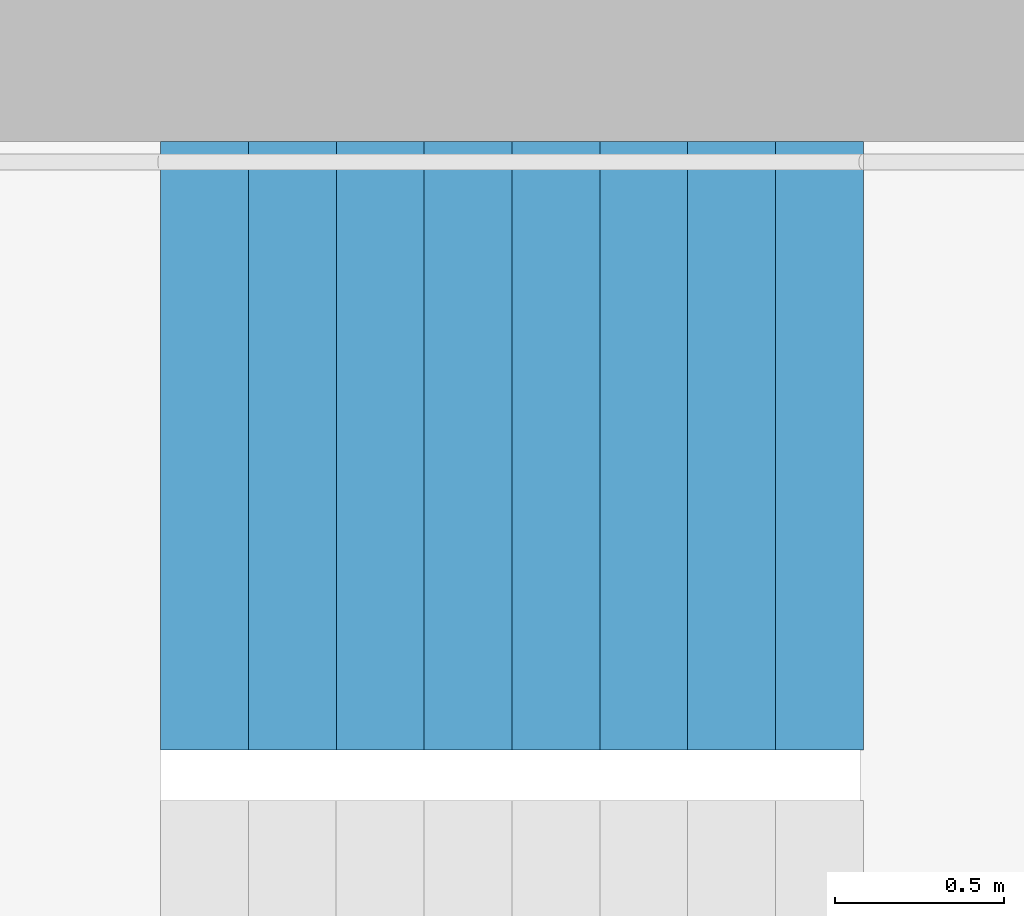
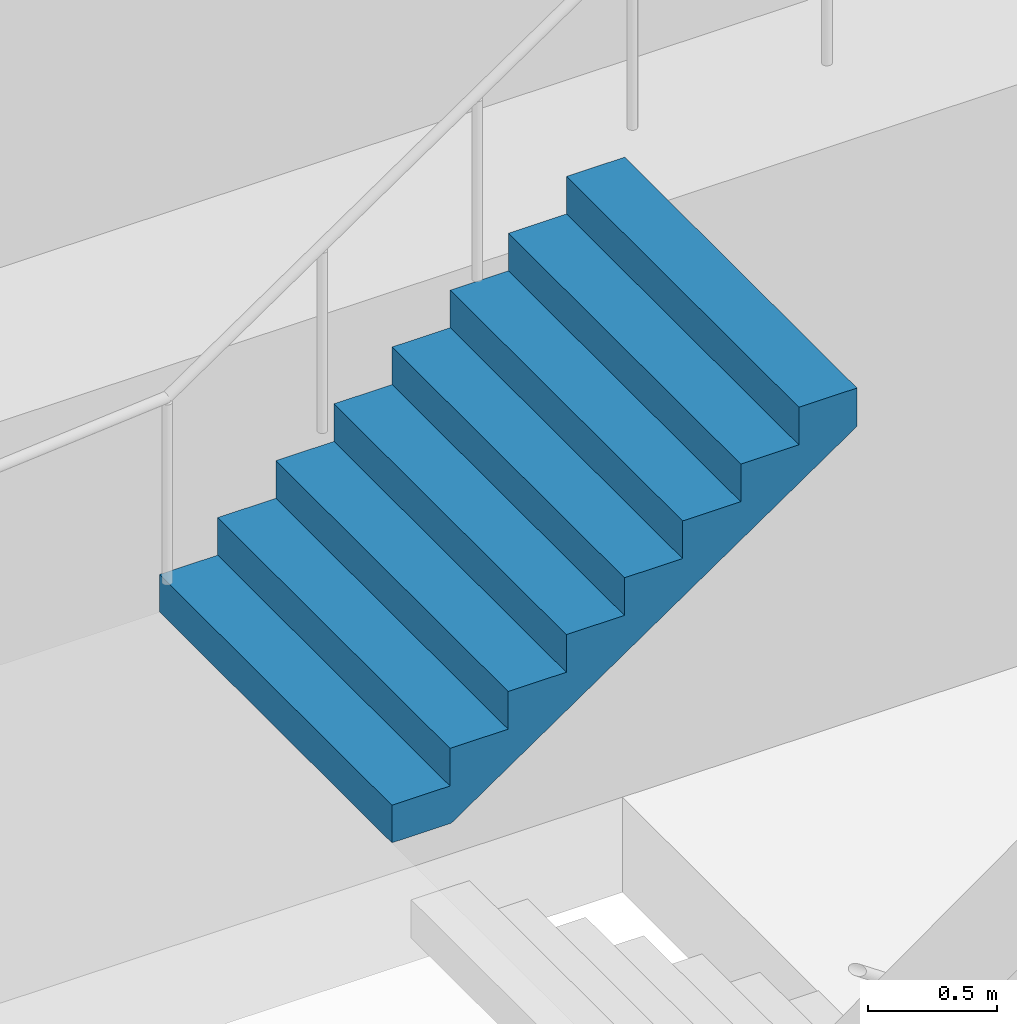
# One storey, part 25 of 26: 1 stair flight, 1 element without a shape of its own.
"""IFC4 building model written with IfcOpenShell, lengths in metres."""

from ifc_helpers import new_model, si_unit, direction, frame, origin, place, context, subcontext, project, spatial, triangles, material, type_object, element, aggregate, save


model = new_model("IFC4")

# Units and contexts
model_context = context("Model", 3, precision=1e-05, world=origin(), true_north=direction((0.0, 1.0)))
body_context = subcontext(model_context, "Body", "Model", "MODEL_VIEW")
ifc_project = project(units=[si_unit("LENGTHUNIT", "METRE"), si_unit("AREAUNIT", "SQUARE_METRE"), si_unit("VOLUMEUNIT", "CUBIC_METRE"), si_unit("PLANEANGLEUNIT", "RADIAN"), si_unit("MASSUNIT", "GRAM", prefix="KILO")], contexts=[model_context])

# Site, building, storey
site_placement = place(None, origin())
site = spatial("IfcSite", under=ifc_project, at=site_placement, CompositionType="ELEMENT")
building_placement = place(site_placement, origin())
building = spatial("IfcBuilding", under=site, at=building_placement, Name="Hakoniwa Tower and Hamabe Station Hall", CompositionType="ELEMENT")
storey_placement = place(building_placement, frame((0.0, 0.0, 196.199951171875)))
storey = spatial("IfcBuildingStorey", under=building, at=storey_placement, Name="L55", CompositionType="ELEMENT", Elevation=196.199951171875)

# Stair, stair flight
ifc_material_1 = material(Name="Concrete C40", Category="concrete")
stair_type = type_object("IfcStairType", Name="ESCAPE STAIR 1800", PredefinedType="HALF_TURN_STAIR", material=ifc_material_1)
stair_placement = place(storey_placement, origin())
stair = element("IfcStair", 1, at=stair_placement, inside=storey, type_object=stair_type, Name="Escape stair ST-3 L55", PredefinedType="HALF_TURN_STAIR")
ifc_material_2 = material(Name="Concrete C40", Category="concrete")
stair_flight_type = type_object("IfcStairFlightType", Name="STAIR FLIGHT 1800", PredefinedType="STRAIGHT", material=ifc_material_2)
stair_flight_placement = place(storey_placement, frame((22.320068359375, 6.60009765625, 1.60009765625), z_axis=(0.0, 0.0, 1.0), x_axis=(1.0, 0.0, 0.0)))
stair_flight = element("IfcStairFlight", 2, at=stair_flight_placement, type_object=stair_flight_type, Name="ST-3 flight 2", NumberOfRisers=9, NumberOfTreads=8, PredefinedType="STRAIGHT", RiserHeight=0.177777778, TreadLength=0.26, context=body_context, shape_type="Tessellation", body=[
    triangles([(0.0, 0.89990234375, 0.0), (0.260009765625, 0.89990234375, 0.0), (0.265625, 0.89990234375, 0.0), (0.52001953125, 0.89990234375, 0.174072265625), (0.780029296875, 0.89990234375, 0.351806640625), (1.0400390625, 0.89990234375, 0.529541015625), (1.300048828125, 0.89990234375, 0.707275390625), (1.56005859375, 0.89990234375, 0.885009765625), (1.820068359375, 0.89990234375, 1.062744140625), (2.080078125, 0.89990234375, 1.24072265625), (2.080078125, 0.89990234375, 1.422119140625), (1.820068359375, 0.89990234375, 1.422119140625), (1.820068359375, 0.89990234375, 1.244384765625), (1.56005859375, 0.89990234375, 1.244384765625), (1.56005859375, 0.89990234375, 1.066650390625), (1.300048828125, 0.89990234375, 1.066650390625), (1.300048828125, 0.89990234375, 0.888916015625), (1.0400390625, 0.89990234375, 0.888916015625), (1.0400390625, 0.89990234375, 0.711181640625), (0.780029296875, 0.89990234375, 0.711181640625), (0.780029296875, 0.89990234375, 0.533447265625), (0.52001953125, 0.89990234375, 0.533447265625), (0.52001953125, 0.89990234375, 0.35546875), (0.265625, 0.89990234375, 0.35546875), (0.260009765625, 0.89990234375, 0.35546875), (0.260009765625, 0.89990234375, 0.177734375), (0.0, 0.89990234375, 0.177734375), (0.0, 0.06005859375, 0.0), (0.260009765625, 0.06005859375, 0.0), (0.265625, 0.06005859375, 0.0), (0.52001953125, 0.06005859375, 0.174072265625), (0.780029296875, 0.06005859375, 0.351806640625), (1.0400390625, 0.06005859375, 0.529541015625), (1.300048828125, 0.06005859375, 0.707275390625), (1.56005859375, 0.06005859375, 0.885009765625), (1.820068359375, 0.06005859375, 1.062744140625), (2.080078125, 0.06005859375, 1.24072265625), (2.080078125, 0.06005859375, 1.422119140625), (1.820068359375, 0.06005859375, 1.422119140625), (1.820068359375, 0.06005859375, 1.244384765625), (1.56005859375, 0.06005859375, 1.244384765625), (1.56005859375, 0.06005859375, 1.066650390625), (1.300048828125, 0.06005859375, 1.066650390625), (1.300048828125, 0.06005859375, 0.888916015625), (1.0400390625, 0.06005859375, 0.888916015625), (1.0400390625, 0.06005859375, 0.711181640625), (0.780029296875, 0.06005859375, 0.711181640625), (0.780029296875, 0.06005859375, 0.533447265625), (0.52001953125, 0.06005859375, 0.533447265625), (0.52001953125, 0.06005859375, 0.35546875), (0.265625, 0.06005859375, 0.35546875), (0.260009765625, 0.06005859375, 0.35546875), (0.260009765625, 0.06005859375, 0.177734375), (0.0, 0.06005859375, 0.177734375), (0.0, 0.04296875, 0.0), (0.260009765625, 0.04296875, 0.0), (0.265625, 0.04296875, 0.0), (0.52001953125, 0.04296875, 0.174072265625), (0.780029296875, 0.04296875, 0.351806640625), (1.0400390625, 0.04296875, 0.529541015625), (1.300048828125, 0.04296875, 0.707275390625), (1.56005859375, 0.04296875, 0.885009765625), (1.820068359375, 0.04296875, 1.062744140625), (2.080078125, 0.04296875, 1.24072265625), (2.080078125, 0.04296875, 1.422119140625), (1.820068359375, 0.04296875, 1.422119140625), (1.820068359375, 0.04296875, 1.244384765625), (1.56005859375, 0.04296875, 1.244384765625), (1.56005859375, 0.04296875, 1.066650390625), (1.300048828125, 0.04296875, 1.066650390625), (1.300048828125, 0.04296875, 0.888916015625), (1.0400390625, 0.04296875, 0.888916015625), (1.0400390625, 0.04296875, 0.711181640625), (0.780029296875, 0.04296875, 0.711181640625), (0.780029296875, 0.04296875, 0.533447265625), (0.52001953125, 0.04296875, 0.533447265625), (0.52001953125, 0.04296875, 0.35546875), (0.265625, 0.04296875, 0.35546875), (0.260009765625, 0.04296875, 0.35546875), (0.260009765625, 0.04296875, 0.177734375), (0.0, 0.04296875, 0.177734375), (0.0, 0.025634765625, 0.0), (0.260009765625, 0.025634765625, 0.0), (0.265625, 0.025634765625, 0.0), (0.52001953125, 0.025634765625, 0.174072265625), (0.780029296875, 0.025634765625, 0.351806640625), (1.0400390625, 0.025634765625, 0.529541015625), (1.300048828125, 0.025634765625, 0.707275390625), (1.56005859375, 0.025634765625, 0.885009765625), (1.820068359375, 0.025634765625, 1.062744140625), (2.080078125, 0.025634765625, 1.24072265625), (2.080078125, 0.025634765625, 1.422119140625), (1.820068359375, 0.025634765625, 1.422119140625), (1.820068359375, 0.025634765625, 1.244384765625), (1.56005859375, 0.025634765625, 1.244384765625), (1.56005859375, 0.025634765625, 1.066650390625), (1.300048828125, 0.025634765625, 1.066650390625), (1.300048828125, 0.025634765625, 0.888916015625), (1.0400390625, 0.025634765625, 0.888916015625), (1.0400390625, 0.025634765625, 0.711181640625), (0.780029296875, 0.025634765625, 0.711181640625), (0.780029296875, 0.025634765625, 0.533447265625), (0.52001953125, 0.025634765625, 0.533447265625), (0.52001953125, 0.025634765625, 0.35546875), (0.265625, 0.025634765625, 0.35546875), (0.260009765625, 0.025634765625, 0.35546875), (0.260009765625, 0.025634765625, 0.177734375), (0.0, 0.025634765625, 0.177734375), (0.0, 0.008544921875, 0.0), (0.260009765625, 0.008544921875, 0.0), (0.265625, 0.008544921875, 0.0), (0.52001953125, 0.008544921875, 0.174072265625), (0.780029296875, 0.008544921875, 0.351806640625), (1.0400390625, 0.008544921875, 0.529541015625), (1.300048828125, 0.008544921875, 0.707275390625), (1.56005859375, 0.008544921875, 0.885009765625), (1.820068359375, 0.008544921875, 1.062744140625), (2.080078125, 0.008544921875, 1.24072265625), (2.080078125, 0.008544921875, 1.422119140625), (1.820068359375, 0.008544921875, 1.422119140625), (1.820068359375, 0.008544921875, 1.244384765625), (1.56005859375, 0.008544921875, 1.244384765625), (1.56005859375, 0.008544921875, 1.066650390625), (1.300048828125, 0.008544921875, 1.066650390625), (1.300048828125, 0.008544921875, 0.888916015625), (1.0400390625, 0.008544921875, 0.888916015625), (1.0400390625, 0.008544921875, 0.711181640625), (0.780029296875, 0.008544921875, 0.711181640625), (0.780029296875, 0.008544921875, 0.533447265625), (0.52001953125, 0.008544921875, 0.533447265625), (0.52001953125, 0.008544921875, 0.35546875), (0.265625, 0.008544921875, 0.35546875), (0.260009765625, 0.008544921875, 0.35546875), (0.260009765625, 0.008544921875, 0.177734375), (0.0, 0.008544921875, 0.177734375), (0.0, -0.008544921875, 0.0), (0.260009765625, -0.008544921875, 0.0), (0.265625, -0.008544921875, 0.0), (0.52001953125, -0.008544921875, 0.174072265625), (0.780029296875, -0.008544921875, 0.351806640625), (1.0400390625, -0.008544921875, 0.529541015625), (1.300048828125, -0.008544921875, 0.707275390625), (1.56005859375, -0.008544921875, 0.885009765625), (1.820068359375, -0.008544921875, 1.062744140625), (2.080078125, -0.008544921875, 1.24072265625), (2.080078125, -0.008544921875, 1.422119140625), (1.820068359375, -0.008544921875, 1.422119140625), (1.820068359375, -0.008544921875, 1.244384765625), (1.56005859375, -0.008544921875, 1.244384765625), (1.56005859375, -0.008544921875, 1.066650390625), (1.300048828125, -0.008544921875, 1.066650390625), (1.300048828125, -0.008544921875, 0.888916015625), (1.0400390625, -0.008544921875, 0.888916015625), (1.0400390625, -0.008544921875, 0.711181640625), (0.780029296875, -0.008544921875, 0.711181640625), (0.780029296875, -0.008544921875, 0.533447265625), (0.52001953125, -0.008544921875, 0.533447265625), (0.52001953125, -0.008544921875, 0.35546875), (0.265625, -0.008544921875, 0.35546875), (0.260009765625, -0.008544921875, 0.35546875), (0.260009765625, -0.008544921875, 0.177734375), (0.0, -0.008544921875, 0.177734375), (0.0, -0.025634765625, 0.0), (0.260009765625, -0.025634765625, 0.0), (0.265625, -0.025634765625, 0.0), (0.52001953125, -0.025634765625, 0.174072265625), (0.780029296875, -0.025634765625, 0.351806640625), (1.0400390625, -0.025634765625, 0.529541015625), (1.300048828125, -0.025634765625, 0.707275390625), (1.56005859375, -0.025634765625, 0.885009765625), (1.820068359375, -0.025634765625, 1.062744140625), (2.080078125, -0.025634765625, 1.24072265625), (2.080078125, -0.025634765625, 1.422119140625), (1.820068359375, -0.025634765625, 1.422119140625), (1.820068359375, -0.025634765625, 1.244384765625), (1.56005859375, -0.025634765625, 1.244384765625), (1.56005859375, -0.025634765625, 1.066650390625), (1.300048828125, -0.025634765625, 1.066650390625), (1.300048828125, -0.025634765625, 0.888916015625), (1.0400390625, -0.025634765625, 0.888916015625), (1.0400390625, -0.025634765625, 0.711181640625), (0.780029296875, -0.025634765625, 0.711181640625), (0.780029296875, -0.025634765625, 0.533447265625), (0.52001953125, -0.025634765625, 0.533447265625), (0.52001953125, -0.025634765625, 0.35546875), (0.265625, -0.025634765625, 0.35546875), (0.260009765625, -0.025634765625, 0.35546875), (0.260009765625, -0.025634765625, 0.177734375), (0.0, -0.025634765625, 0.177734375), (0.0, -0.04296875, 0.0), (0.260009765625, -0.04296875, 0.0), (0.265625, -0.04296875, 0.0), (0.52001953125, -0.04296875, 0.174072265625), (0.780029296875, -0.04296875, 0.351806640625), (1.0400390625, -0.04296875, 0.529541015625), (1.300048828125, -0.04296875, 0.707275390625), (1.56005859375, -0.04296875, 0.885009765625), (1.820068359375, -0.04296875, 1.062744140625), (2.080078125, -0.04296875, 1.24072265625), (2.080078125, -0.04296875, 1.422119140625), (1.820068359375, -0.04296875, 1.422119140625), (1.820068359375, -0.04296875, 1.244384765625), (1.56005859375, -0.04296875, 1.244384765625), (1.56005859375, -0.04296875, 1.066650390625), (1.300048828125, -0.04296875, 1.066650390625), (1.300048828125, -0.04296875, 0.888916015625), (1.0400390625, -0.04296875, 0.888916015625), (1.0400390625, -0.04296875, 0.711181640625), (0.780029296875, -0.04296875, 0.711181640625), (0.780029296875, -0.04296875, 0.533447265625), (0.52001953125, -0.04296875, 0.533447265625), (0.52001953125, -0.04296875, 0.35546875), (0.265625, -0.04296875, 0.35546875), (0.260009765625, -0.04296875, 0.35546875), (0.260009765625, -0.04296875, 0.177734375), (0.0, -0.04296875, 0.177734375), (0.0, -0.06005859375, 0.0), (0.260009765625, -0.06005859375, 0.0), (0.265625, -0.06005859375, 0.0), (0.52001953125, -0.06005859375, 0.174072265625), (0.780029296875, -0.06005859375, 0.351806640625), (1.0400390625, -0.06005859375, 0.529541015625), (1.300048828125, -0.06005859375, 0.707275390625), (1.56005859375, -0.06005859375, 0.885009765625), (1.820068359375, -0.06005859375, 1.062744140625), (2.080078125, -0.06005859375, 1.24072265625), (2.080078125, -0.06005859375, 1.422119140625), (1.820068359375, -0.06005859375, 1.422119140625), (1.820068359375, -0.06005859375, 1.244384765625), (1.56005859375, -0.06005859375, 1.244384765625), (1.56005859375, -0.06005859375, 1.066650390625), (1.300048828125, -0.06005859375, 1.066650390625), (1.300048828125, -0.06005859375, 0.888916015625), (1.0400390625, -0.06005859375, 0.888916015625), (1.0400390625, -0.06005859375, 0.711181640625), (0.780029296875, -0.06005859375, 0.711181640625), (0.780029296875, -0.06005859375, 0.533447265625), (0.52001953125, -0.06005859375, 0.533447265625), (0.52001953125, -0.06005859375, 0.35546875), (0.265625, -0.06005859375, 0.35546875), (0.260009765625, -0.06005859375, 0.35546875), (0.260009765625, -0.06005859375, 0.177734375), (0.0, -0.06005859375, 0.177734375), (0.0, -0.89990234375, 0.0), (0.260009765625, -0.89990234375, 0.0), (0.265625, -0.89990234375, 0.0), (0.52001953125, -0.89990234375, 0.174072265625), (0.780029296875, -0.89990234375, 0.351806640625), (1.0400390625, -0.89990234375, 0.529541015625), (1.300048828125, -0.89990234375, 0.707275390625), (1.56005859375, -0.89990234375, 0.885009765625), (1.820068359375, -0.89990234375, 1.062744140625), (2.080078125, -0.89990234375, 1.24072265625), (2.080078125, -0.89990234375, 1.422119140625), (1.820068359375, -0.89990234375, 1.422119140625), (1.820068359375, -0.89990234375, 1.244384765625), (1.56005859375, -0.89990234375, 1.244384765625), (1.56005859375, -0.89990234375, 1.066650390625), (1.300048828125, -0.89990234375, 1.066650390625), (1.300048828125, -0.89990234375, 0.888916015625), (1.0400390625, -0.89990234375, 0.888916015625), (1.0400390625, -0.89990234375, 0.711181640625), (0.780029296875, -0.89990234375, 0.711181640625), (0.780029296875, -0.89990234375, 0.533447265625), (0.52001953125, -0.89990234375, 0.533447265625), (0.52001953125, -0.89990234375, 0.35546875), (0.265625, -0.89990234375, 0.35546875), (0.260009765625, -0.89990234375, 0.35546875), (0.260009765625, -0.89990234375, 0.177734375), (0.0, -0.89990234375, 0.177734375)], [[2, 27, 26], [245, 269, 270], [2, 1, 27], [245, 270, 244], [3, 25, 24], [246, 267, 268], [3, 26, 25], [246, 268, 269], [3, 2, 26], [246, 269, 245], [4, 24, 23], [247, 266, 267], [4, 3, 24], [247, 267, 246], [5, 22, 21], [248, 264, 265], [5, 23, 22], [248, 265, 266], [5, 4, 23], [248, 266, 247], [6, 20, 19], [249, 262, 263], [6, 21, 20], [249, 263, 264], [6, 5, 21], [249, 264, 248], [7, 18, 17], [250, 260, 261], [7, 19, 18], [250, 261, 262], [7, 6, 19], [250, 262, 249], [8, 16, 15], [251, 258, 259], [8, 17, 16], [251, 259, 260], [8, 7, 17], [251, 260, 250], [9, 14, 13], [252, 256, 257], [9, 15, 14], [252, 257, 258], [9, 8, 15], [252, 258, 251], [10, 12, 11], [253, 254, 255], [10, 13, 12], [253, 255, 256], [10, 9, 13], [253, 256, 252], [1, 2, 29], [1, 29, 28], [28, 29, 56], [28, 56, 55], [55, 56, 83], [55, 83, 82], [82, 83, 110], [82, 110, 109], [109, 110, 137], [109, 137, 136], [136, 137, 164], [136, 164, 163], [163, 164, 191], [163, 191, 190], [190, 191, 218], [190, 218, 217], [217, 218, 245], [217, 245, 244], [2, 3, 30], [2, 30, 29], [29, 30, 57], [29, 57, 56], [56, 57, 84], [56, 84, 83], [83, 84, 111], [83, 111, 110], [110, 111, 138], [110, 138, 137], [137, 138, 165], [137, 165, 164], [164, 165, 192], [164, 192, 191], [191, 192, 219], [191, 219, 218], [218, 219, 246], [218, 246, 245], [3, 4, 31], [3, 31, 30], [30, 31, 58], [30, 58, 57], [57, 58, 85], [57, 85, 84], [84, 85, 112], [84, 112, 111], [111, 112, 139], [111, 139, 138], [138, 139, 166], [138, 166, 165], [165, 166, 193], [165, 193, 192], [192, 193, 220], [192, 220, 219], [219, 220, 247], [219, 247, 246], [4, 5, 32], [4, 32, 31], [31, 32, 59], [31, 59, 58], [58, 59, 86], [58, 86, 85], [85, 86, 113], [85, 113, 112], [112, 113, 140], [112, 140, 139], [139, 140, 167], [139, 167, 166], [166, 167, 194], [166, 194, 193], [193, 194, 221], [193, 221, 220], [220, 221, 248], [220, 248, 247], [5, 6, 33], [5, 33, 32], [32, 33, 60], [32, 60, 59], [59, 60, 87], [59, 87, 86], [86, 87, 114], [86, 114, 113], [113, 114, 141], [113, 141, 140], [140, 141, 168], [140, 168, 167], [167, 168, 195], [167, 195, 194], [194, 195, 222], [194, 222, 221], [221, 222, 249], [221, 249, 248], [6, 7, 34], [6, 34, 33], [33, 34, 61], [33, 61, 60], [60, 61, 88], [60, 88, 87], [87, 88, 115], [87, 115, 114], [114, 115, 142], [114, 142, 141], [141, 142, 169], [141, 169, 168], [168, 169, 196], [168, 196, 195], [195, 196, 223], [195, 223, 222], [222, 223, 250], [222, 250, 249], [7, 8, 35], [7, 35, 34], [34, 35, 62], [34, 62, 61], [61, 62, 89], [61, 89, 88], [88, 89, 116], [88, 116, 115], [115, 116, 143], [115, 143, 142], [142, 143, 170], [142, 170, 169], [169, 170, 197], [169, 197, 196], [196, 197, 224], [196, 224, 223], [223, 224, 251], [223, 251, 250], [8, 9, 36], [8, 36, 35], [35, 36, 63], [35, 63, 62], [62, 63, 90], [62, 90, 89], [89, 90, 117], [89, 117, 116], [116, 117, 144], [116, 144, 143], [143, 144, 171], [143, 171, 170], [170, 171, 198], [170, 198, 197], [197, 198, 225], [197, 225, 224], [224, 225, 252], [224, 252, 251], [9, 10, 37], [9, 37, 36], [36, 37, 64], [36, 64, 63], [63, 64, 91], [63, 91, 90], [90, 91, 118], [90, 118, 117], [117, 118, 145], [117, 145, 144], [144, 145, 172], [144, 172, 171], [171, 172, 199], [171, 199, 198], [198, 199, 226], [198, 226, 225], [225, 226, 253], [225, 253, 252], [10, 11, 38], [10, 38, 37], [37, 38, 65], [37, 65, 64], [64, 65, 92], [64, 92, 91], [91, 92, 119], [91, 119, 118], [118, 119, 146], [118, 146, 145], [145, 146, 173], [145, 173, 172], [172, 173, 200], [172, 200, 199], [199, 200, 227], [199, 227, 226], [226, 227, 254], [226, 254, 253], [11, 12, 39], [11, 39, 38], [38, 39, 66], [38, 66, 65], [65, 66, 93], [65, 93, 92], [92, 93, 120], [92, 120, 119], [119, 120, 147], [119, 147, 146], [146, 147, 174], [146, 174, 173], [173, 174, 201], [173, 201, 200], [200, 201, 228], [200, 228, 227], [227, 228, 255], [227, 255, 254], [12, 13, 40], [12, 40, 39], [39, 40, 67], [39, 67, 66], [66, 67, 94], [66, 94, 93], [93, 94, 121], [93, 121, 120], [120, 121, 148], [120, 148, 147], [147, 148, 175], [147, 175, 174], [174, 175, 202], [174, 202, 201], [201, 202, 229], [201, 229, 228], [228, 229, 256], [228, 256, 255], [13, 14, 41], [13, 41, 40], [40, 41, 68], [40, 68, 67], [67, 68, 95], [67, 95, 94], [94, 95, 122], [94, 122, 121], [121, 122, 149], [121, 149, 148], [148, 149, 176], [148, 176, 175], [175, 176, 203], [175, 203, 202], [202, 203, 230], [202, 230, 229], [229, 230, 257], [229, 257, 256], [14, 15, 42], [14, 42, 41], [41, 42, 69], [41, 69, 68], [68, 69, 96], [68, 96, 95], [95, 96, 123], [95, 123, 122], [122, 123, 150], [122, 150, 149], [149, 150, 177], [149, 177, 176], [176, 177, 204], [176, 204, 203], [203, 204, 231], [203, 231, 230], [230, 231, 258], [230, 258, 257], [15, 16, 43], [15, 43, 42], [42, 43, 70], [42, 70, 69], [69, 70, 97], [69, 97, 96], [96, 97, 124], [96, 124, 123], [123, 124, 151], [123, 151, 150], [150, 151, 178], [150, 178, 177], [177, 178, 205], [177, 205, 204], [204, 205, 232], [204, 232, 231], [231, 232, 259], [231, 259, 258], [16, 17, 44], [16, 44, 43], [43, 44, 71], [43, 71, 70], [70, 71, 98], [70, 98, 97], [97, 98, 125], [97, 125, 124], [124, 125, 152], [124, 152, 151], [151, 152, 179], [151, 179, 178], [178, 179, 206], [178, 206, 205], [205, 206, 233], [205, 233, 232], [232, 233, 260], [232, 260, 259], [17, 18, 45], [17, 45, 44], [44, 45, 72], [44, 72, 71], [71, 72, 99], [71, 99, 98], [98, 99, 126], [98, 126, 125], [125, 126, 153], [125, 153, 152], [152, 153, 180], [152, 180, 179], [179, 180, 207], [179, 207, 206], [206, 207, 234], [206, 234, 233], [233, 234, 261], [233, 261, 260], [18, 19, 46], [18, 46, 45], [45, 46, 73], [45, 73, 72], [72, 73, 100], [72, 100, 99], [99, 100, 127], [99, 127, 126], [126, 127, 154], [126, 154, 153], [153, 154, 181], [153, 181, 180], [180, 181, 208], [180, 208, 207], [207, 208, 235], [207, 235, 234], [234, 235, 262], [234, 262, 261], [19, 20, 47], [19, 47, 46], [46, 47, 74], [46, 74, 73], [73, 74, 101], [73, 101, 100], [100, 101, 128], [100, 128, 127], [127, 128, 155], [127, 155, 154], [154, 155, 182], [154, 182, 181], [181, 182, 209], [181, 209, 208], [208, 209, 236], [208, 236, 235], [235, 236, 263], [235, 263, 262], [20, 21, 48], [20, 48, 47], [47, 48, 75], [47, 75, 74], [74, 75, 102], [74, 102, 101], [101, 102, 129], [101, 129, 128], [128, 129, 156], [128, 156, 155], [155, 156, 183], [155, 183, 182], [182, 183, 210], [182, 210, 209], [209, 210, 237], [209, 237, 236], [236, 237, 264], [236, 264, 263], [21, 22, 49], [21, 49, 48], [48, 49, 76], [48, 76, 75], [75, 76, 103], [75, 103, 102], [102, 103, 130], [102, 130, 129], [129, 130, 157], [129, 157, 156], [156, 157, 184], [156, 184, 183], [183, 184, 211], [183, 211, 210], [210, 211, 238], [210, 238, 237], [237, 238, 265], [237, 265, 264], [22, 23, 50], [22, 50, 49], [49, 50, 77], [49, 77, 76], [76, 77, 104], [76, 104, 103], [103, 104, 131], [103, 131, 130], [130, 131, 158], [130, 158, 157], [157, 158, 185], [157, 185, 184], [184, 185, 212], [184, 212, 211], [211, 212, 239], [211, 239, 238], [238, 239, 266], [238, 266, 265], [23, 24, 51], [23, 51, 50], [50, 51, 78], [50, 78, 77], [77, 78, 105], [77, 105, 104], [104, 105, 132], [104, 132, 131], [131, 132, 159], [131, 159, 158], [158, 159, 186], [158, 186, 185], [185, 186, 213], [185, 213, 212], [212, 213, 240], [212, 240, 239], [239, 240, 267], [239, 267, 266], [24, 25, 52], [24, 52, 51], [51, 52, 79], [51, 79, 78], [78, 79, 106], [78, 106, 105], [105, 106, 133], [105, 133, 132], [132, 133, 160], [132, 160, 159], [159, 160, 187], [159, 187, 186], [186, 187, 214], [186, 214, 213], [213, 214, 241], [213, 241, 240], [240, 241, 268], [240, 268, 267], [25, 26, 53], [25, 53, 52], [52, 53, 80], [52, 80, 79], [79, 80, 107], [79, 107, 106], [106, 107, 134], [106, 134, 133], [133, 134, 161], [133, 161, 160], [160, 161, 188], [160, 188, 187], [187, 188, 215], [187, 215, 214], [214, 215, 242], [214, 242, 241], [241, 242, 269], [241, 269, 268], [26, 27, 54], [26, 54, 53], [53, 54, 81], [53, 81, 80], [80, 81, 108], [80, 108, 107], [107, 108, 135], [107, 135, 134], [134, 135, 162], [134, 162, 161], [161, 162, 189], [161, 189, 188], [188, 189, 216], [188, 216, 215], [215, 216, 243], [215, 243, 242], [242, 243, 270], [242, 270, 269], [27, 1, 28], [27, 28, 54], [54, 28, 55], [54, 55, 81], [81, 55, 82], [81, 82, 108], [108, 82, 109], [108, 109, 135], [135, 109, 136], [135, 136, 162], [162, 136, 163], [162, 163, 189], [189, 163, 190], [189, 190, 216], [216, 190, 217], [216, 217, 243], [243, 217, 244], [243, 244, 270]], closed=True),
])
aggregate(stair, [stair_flight])

save(model, "model.ifc")
